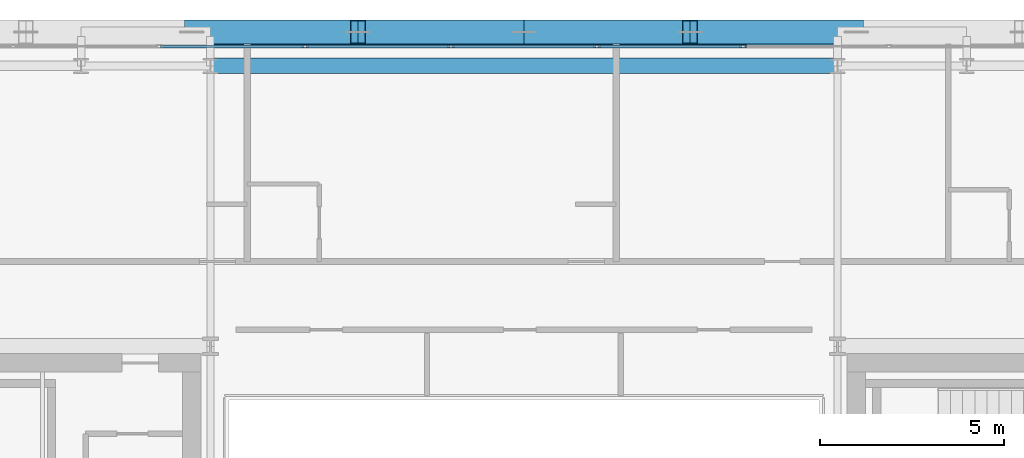
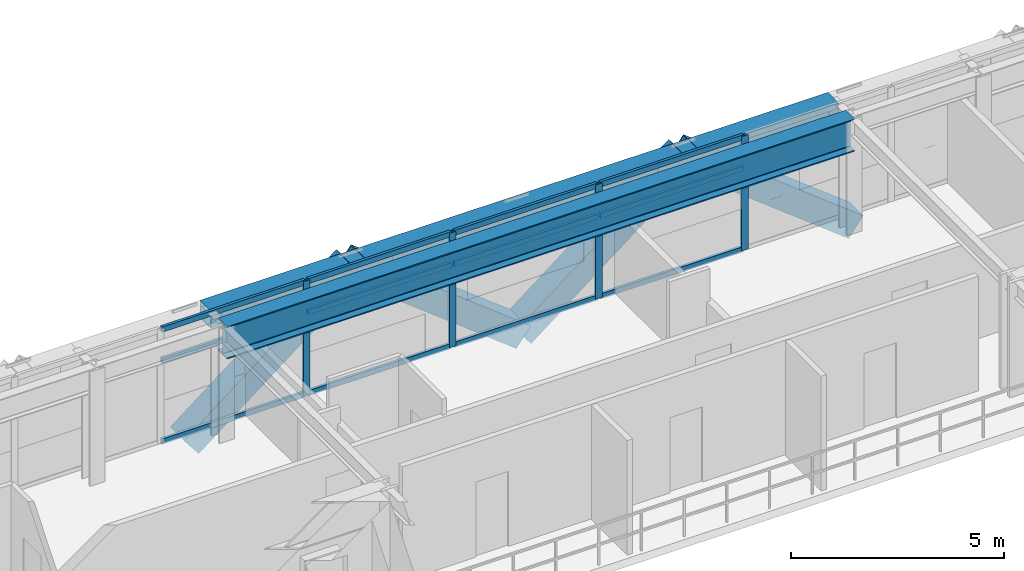
# One storey, part 17 of 32: 20 members, 2 beams, 1 element without a shape of its own.
"""IFC4 building model written with IfcOpenShell, lengths in metres."""

import ifcopenshell
import ifcopenshell.guid

model = None  # the IFC model being written
_history = None  # IfcOwnerHistory: only IFC2X3 demands one
_inside = {}  # id of a spatial element -> (the spatial element, [elements in it])
_under = {}  # id of a project, library or spatial element -> (it, [spatial elements below it])
_declared = {}  # id of a project -> (the project, [libraries it declares])
_typed = {}  # id of a type object -> (the type object, [elements of that type])
_made_of = {}  # id of a material, layer set ... -> (it, [elements and type objects made of it])


def new_model(schema):
    """Start an empty IFC model of exactly this schema.

    Asked for "IFC4X3", IfcOpenShell would pick the latest addendum, in which some entities
    have other attributes; the version numbers below select the first issue.
    IFC2X3 requires an IfcOwnerHistory on every rooted entity: one is made here for all.
    """
    global model, _history
    if schema == "IFC4X3":
        model = ifcopenshell.file(schema_version=(4, 3, 0, 0))
    else:
        model = ifcopenshell.file(schema=schema)
    _inside.clear()
    _under.clear()
    _declared.clear()
    _typed.clear()
    _made_of.clear()
    _history = None
    if model.schema == "IFC2X3":
        org = make("IfcOrganization", Name="unknown")
        user = make(
            "IfcPersonAndOrganization",
            ThePerson=make("IfcPerson", FamilyName="unknown"),
            TheOrganization=org,
        )
        app = make(
            "IfcApplication",
            ApplicationDeveloper=org,
            Version="unknown",
            ApplicationFullName="unknown",
            ApplicationIdentifier="unknown",
        )
        _history = make(
            "IfcOwnerHistory",
            OwningUser=user,
            OwningApplication=app,
            ChangeAction="ADDED",
            CreationDate=0,
        )
    return model


def make(cls, **values):
    """One entity of the class cls with the attributes given. An attribute that is None is left unset."""
    return model.create_entity(
        cls, **{name: value for name, value in values.items() if value is not None}
    )


def rooted(cls, **values):
    """An entity with a GlobalId (a new one), such as an element, a storey or a relation."""
    return make(cls, GlobalId=ifcopenshell.guid.new(), OwnerHistory=_history, **values)


def si_unit(unit_type, name, prefix=None):
    """IfcSIUnit, for example si_unit("LENGTHUNIT", "METRE", prefix="MILLI")."""
    return make("IfcSIUnit", UnitType=unit_type, Prefix=prefix, Name=name)


def assignment(units):
    """IfcUnitAssignment: the units of a project."""
    return None if units is None else make("IfcUnitAssignment", Units=units)


def point(xyz):
    """IfcCartesianPoint."""
    return None if xyz is None else make("IfcCartesianPoint", Coordinates=xyz)


def direction(xyz):
    """IfcDirection."""
    return None if xyz is None else make("IfcDirection", DirectionRatios=xyz)


def frame(location, z_axis=None, x_axis=None):
    """IfcAxis2Placement3D, a coordinate frame: its origin and axes. An axis left out is left unset."""
    return make(
        "IfcAxis2Placement3D",
        Location=point(location),
        Axis=direction(z_axis),
        RefDirection=direction(x_axis),
    )


def frame_2d(location, x_axis=None):
    """IfcAxis2Placement2D, a coordinate frame in the plane: its origin and x axis."""
    return make(
        "IfcAxis2Placement2D", Location=point(location), RefDirection=direction(x_axis)
    )


def origin():
    """The frame at (0, 0, 0) with its axes left unset."""
    return frame((0.0, 0.0, 0.0))


def origin_2d():
    """The frame at (0, 0) in the plane with its x axis left unset."""
    return frame_2d((0.0, 0.0))


def place(relative_to, where):
    """IfcLocalPlacement: puts the frame where relative to a parent placement (None: the world)."""
    return make(
        "IfcLocalPlacement", PlacementRelTo=relative_to, RelativePlacement=where
    )


def context(
    kind, dimensions, precision=None, world=None, true_north=None, identifier=None
):
    """IfcGeometricRepresentationContext, for example the 3D "Model" context."""
    return make(
        "IfcGeometricRepresentationContext",
        ContextIdentifier=identifier,
        ContextType=kind,
        CoordinateSpaceDimension=dimensions,
        Precision=precision,
        WorldCoordinateSystem=world,
        TrueNorth=true_north,
    )


def subcontext(parent, identifier, kind, view, scale=None):
    """IfcGeometricRepresentationSubContext, for example "Body" below "Model"."""
    return make(
        "IfcGeometricRepresentationSubContext",
        ContextIdentifier=identifier,
        ContextType=kind,
        ParentContext=parent,
        TargetScale=scale,
        TargetView=view,
    )


def project(units=None, contexts=None):
    """IfcProject with its units and contexts."""
    return rooted(
        "IfcProject",
        Name="project",
        RepresentationContexts=contexts,
        UnitsInContext=assignment(units),
    )


def spatial(cls, under=None, at=None, **own):
    """A site, building, storey or space (cls), placed at a placement, below another one or the project."""
    s = rooted(cls, ObjectPlacement=at, **own)
    if under is not None:
        _under.setdefault(under.id(), (under, []))[1].append(s)
    return s


def profile(cls, at=None, kind="AREA", **sizes):
    """A parametric profile (cls). Its sizes go by their IFC names, for example OverallWidth=200.0."""
    return make(cls, ProfileType=kind, Position=at, **sizes)


def hollow_rectangle(**sizes):
    """IfcRectangleHollowProfileDef."""
    return profile("IfcRectangleHollowProfileDef", **sizes)


def i_section(**sizes):
    """IfcIShapeProfileDef."""
    return profile("IfcIShapeProfileDef", **sizes)


def extrude(swept, where, along, depth):
    """IfcExtrudedAreaSolid: the profile swept, set in the frame where, extruded along a direction by depth."""
    return make(
        "IfcExtrudedAreaSolid",
        SweptArea=swept,
        Position=where,
        ExtrudedDirection=direction(along),
        Depth=depth,
    )


def shape(context_of_items, identifier, shape_type, items):
    """IfcShapeRepresentation: the items that make up one representation, for example the "Body"."""
    return make(
        "IfcShapeRepresentation",
        ContextOfItems=context_of_items,
        RepresentationIdentifier=identifier,
        RepresentationType=shape_type,
        Items=items,
    )


def source(mapping_origin, context_of_items, identifier, shape_type, items):
    """IfcRepresentationMap: a shape defined once, which mapped items show again and again."""
    return make(
        "IfcRepresentationMap",
        MappingOrigin=mapping_origin,
        MappedRepresentation=shape(context_of_items, identifier, shape_type, items),
    )


def transform(
    local_origin,
    x_axis=None,
    y_axis=None,
    z_axis=None,
    scale=None,
    scale2=None,
    scale3=None,
    uniform=True,
):
    """IfcCartesianTransformationOperator3D, or its non-uniform kind. x_axis, y_axis, z_axis: its Axis1, 2, 3."""
    if uniform:
        return make(
            "IfcCartesianTransformationOperator3D",
            Axis1=direction(x_axis),
            Axis2=direction(y_axis),
            LocalOrigin=point(local_origin),
            Scale=scale,
            Axis3=direction(z_axis),
        )
    return make(
        "IfcCartesianTransformationOperator3DnonUniform",
        Axis1=direction(x_axis),
        Axis2=direction(y_axis),
        LocalOrigin=point(local_origin),
        Scale=scale,
        Axis3=direction(z_axis),
        Scale2=scale2,
        Scale3=scale3,
    )


def mapped(mapping_source, mapping_target):
    """IfcMappedItem: shows the shape of a source again, moved by a transform."""
    return make(
        "IfcMappedItem", MappingSource=mapping_source, MappingTarget=mapping_target
    )


def material(Name=None, Category=None):
    """IfcMaterial."""
    return make("IfcMaterial", Name=Name, Category=Category)


def layer(
    of_material, thickness, ventilated=None, Name=None, Category=None, Priority=None
):
    """IfcMaterialLayer: one layer of a wall or slab, of a material (None: an air gap)."""
    return make(
        "IfcMaterialLayer",
        Material=of_material,
        LayerThickness=thickness,
        IsVentilated=ventilated,
        Name=Name,
        Category=Category,
        Priority=Priority,
    )


def layer_set(layers, Name=None):
    """IfcMaterialLayerSet."""
    return make("IfcMaterialLayerSet", MaterialLayers=layers, LayerSetName=Name)


def material_profile(
    of_material, cross_section, Name=None, Category=None, Priority=None
):
    """IfcMaterialProfile: a cross section and its material."""
    return make(
        "IfcMaterialProfile",
        Name=Name,
        Material=of_material,
        Profile=cross_section,
        Priority=Priority,
        Category=Category,
    )


def profile_set(profiles, Name=None, composite=None):
    """IfcMaterialProfileSet."""
    return make(
        "IfcMaterialProfileSet",
        Name=Name,
        MaterialProfiles=profiles,
        CompositeProfile=composite,
    )


def made_of(thing, what):
    """Note that an element or type object is made of a material, layer set ...; save() writes the relation."""
    if what is not None:
        _made_of.setdefault(what.id(), (what, []))[1].append(thing)
    return thing


def type_object(cls, material=None, **own):
    """A type object (cls), such as IfcWallType, which elements share."""
    return made_of(rooted(cls, **own), material)


def element(
    cls,
    number,
    at=None,
    inside=None,
    cuts=None,
    type_object=None,
    material=None,
    context=None,
    identifier="Body",
    shape_type=None,
    held_by="IfcProductDefinitionShape",
    body=None,
    shapes=None,
    **own,
):
    """One element of the class cls, such as IfcWall. Its Tag is "e" and its number.

    at: its placement. inside: the storey or other place that contains it. cuts: it is an
    opening in that element (IfcRelVoidsElement). A single representation is given by context,
    identifier, shape_type and body (its items); several are given by shapes. held_by: the class
    of the entity that holds the representations. save() writes the other relations.
    """
    e = rooted(cls, Tag="e%d" % number, ObjectPlacement=at, **own)
    if body is not None:
        shapes = [shape(context, identifier, shape_type, body)]
    if shapes is not None:
        e.Representation = make(held_by, Representations=shapes)
    if inside is not None:
        _inside.setdefault(inside.id(), (inside, []))[1].append(e)
    if cuts is not None:
        rooted(
            "IfcRelVoidsElement", RelatingBuildingElement=cuts, RelatedOpeningElement=e
        )
    if type_object is not None:
        _typed.setdefault(type_object.id(), (type_object, []))[1].append(e)
    return made_of(e, material)


def aggregate(whole, parts):
    """IfcRelAggregates: a whole, such as a stair, and the parts it consists of."""
    return rooted("IfcRelAggregates", RelatingObject=whole, RelatedObjects=parts)


def save(model, path):
    """Write the relations noted so far, then the file.

    IfcRelAggregates (storeys below a building ...), IfcRelContainedInSpatialStructure (elements
    in a storey), IfcRelDefinesByType, IfcRelAssociatesMaterial and IfcRelDeclares: one each for
    every whole, place, type object, material and project.
    """
    for whole, parts in _under.values():
        aggregate(whole, parts)
    for where, things in _inside.values():
        rooted(
            "IfcRelContainedInSpatialStructure",
            RelatedElements=things,
            RelatingStructure=where,
        )
    for kind, things in _typed.values():
        rooted("IfcRelDefinesByType", RelatedObjects=things, RelatingType=kind)
    for what, things in _made_of.values():
        rooted("IfcRelAssociatesMaterial", RelatedObjects=things, RelatingMaterial=what)
    for by, libraries in _declared.values():
        rooted("IfcRelDeclares", RelatingContext=by, RelatedDefinitions=libraries)
    model.write(path)


model = new_model("IFC4")

# Units and contexts
model_context = context("Model", 3, precision=1e-05, world=origin(), true_north=direction((0.0, 1.0)))
body_context = subcontext(model_context, "Body", "Model", "MODEL_VIEW")
ifc_project = project(units=[si_unit("LENGTHUNIT", "METRE"), si_unit("AREAUNIT", "SQUARE_METRE"), si_unit("VOLUMEUNIT", "CUBIC_METRE"), si_unit("PLANEANGLEUNIT", "RADIAN"), si_unit("MASSUNIT", "GRAM", prefix="KILO")], contexts=[model_context])

# Site, building, storey
site_placement = place(None, origin())
site = spatial("IfcSite", under=ifc_project, at=site_placement, CompositionType="ELEMENT")
building_placement = place(site_placement, origin())
building = spatial("IfcBuilding", under=site, at=building_placement, Name="Ocotamira Hotel", CompositionType="ELEMENT")
storey_placement = place(building_placement, frame((0.0, 0.0, 217.199951171875)))
storey = spatial("IfcBuildingStorey", under=building, at=storey_placement, Name="L55", CompositionType="ELEMENT", Elevation=217.199951171875)

# Beams
ifc_material_1 = material(Name="Steel ASTM A992 Grade 50", Category="steel")
ifc_material_profile_1 = material_profile(ifc_material_1, i_section(OverallWidth=0.41796875, OverallDepth=0.927001953125, WebThickness=0.019287109375, FlangeThickness=0.031982421875, FilletRadius=0.02392578125, at=origin_2d()), Name="W36X231")
ifc_profile_set_1 = profile_set([ifc_material_profile_1], Name="Steel ASTM A992 Grade 50")
beam_type_1 = type_object("IfcBeamType", Name="BM-GIRD-W36X231", PredefinedType="BEAM", material=ifc_profile_set_1)
shared_shape_1 = source(origin(), body_context, "Body", "SweptSolid", [
    extrude(i_section(OverallWidth=0.41796875, OverallDepth=0.927001953125, WebThickness=0.019287109375, FlangeThickness=0.031982421875, FilletRadius=0.02392578125, at=origin_2d()), origin(), (0.0, 0.0, 1.0), 17.0),
])
beam_1_placement = place(storey_placement, frame((23.5, 45.050048828125, 2.816650390625), z_axis=(1.0, 0.0, 0.0), x_axis=(0.0, 1.0, 0.0)))
element("IfcBeam", 1, at=beam_1_placement, inside=storey, type_object=beam_type_1, Name="L55 Girder Y45.05 X23.5-40.5", PredefinedType="BEAM", context=body_context, shape_type="MappedRepresentation", body=[
    mapped(shared_shape_1, transform((0.0, 0.0, 0.0), scale=1.0)),
])
ifc_material_2 = material(Name="Steel ASTM A500 Grade C", Category="steel")
ifc_material_profile_2 = material_profile(ifc_material_2, hollow_rectangle(XDim=0.5, YDim=0.5, WallThickness=0.02001953125, at=origin_2d()), Name="HSS500X500X20")
ifc_profile_set_2 = profile_set([ifc_material_profile_2], Name="Steel ASTM A500 Grade C")
beam_type_2 = type_object("IfcBeamType", Name="BM-SPAN-HSS500", PredefinedType="USERDEFINED", material=ifc_profile_set_2)
shared_shape_2 = source(origin(), body_context, "Body", "SweptSolid", [
    extrude(hollow_rectangle(XDim=0.5, YDim=0.5, WallThickness=0.02001953125, at=origin_2d()), origin(), (0.0, 0.0, 1.0), 17.0),
])
beam_2_placement = place(storey_placement, frame((23.5, 45.85009765625, 3.030029296875), z_axis=(1.0, 0.0, 0.0), x_axis=(0.0, 1.0, 0.0)))
element("IfcBeam", 2, at=beam_2_placement, inside=storey, type_object=beam_type_2, Name="L55 Edge Spandrel N X23.5-40.5", ObjectType="SPANDREL", PredefinedType="USERDEFINED", context=body_context, shape_type="MappedRepresentation", body=[
    mapped(shared_shape_2, transform((0.0, 0.0, 0.0), scale=1.0)),
])

# Members
ifc_material_3 = material(Name="Pale-metal coated steel ASTM A913 Grade 65", Category="steel")
ifc_material_profile_3 = material_profile(ifc_material_3, hollow_rectangle(XDim=0.64990234375, YDim=0.64990234375, WallThickness=0.02197265625, at=origin_2d()), Name="BOX650X650X22")
ifc_profile_set_3 = profile_set([ifc_material_profile_3], Name="Pale-metal coated steel ASTM A913 Grade 65")
member_type_1 = type_object("IfcMemberType", Name="MEM-EXO-BOX650", PredefinedType="BRACE", material=ifc_profile_set_3)
shared_shape_3 = source(origin(), body_context, "Body", "SweptSolid", [
    extrude(hollow_rectangle(XDim=0.64990234375, YDim=0.64990234375, WallThickness=0.02197265625, at=origin_2d()), origin(), (0.0, 0.0, 1.0), 5.70703125),
])
for number, where, z_axis, x_axis, name in (
    (3, (23.0, 45.969970703125, -0.47998046875), (0.788501476184, 0.0, 0.615032862581), (0.0, 1.0, 0.0), "L55 Exoskeleton Diagrid N1.1"),
    (4, (32.0, 45.969970703125, -0.47998046875), (-0.788501476184, 0.0, 0.615032862581), (0.0, -1.0, 0.0), "L55 Exoskeleton Diagrid N1.2"),
    (5, (32.0, 45.969970703125, -0.47998046875), (0.788501476184, 0.0, 0.615032862581), (0.0, 1.0, 0.0), "L55 Exoskeleton Diagrid N2.1"),
    (6, (41.0, 45.969970703125, -0.47998046875), (-0.788501476184, 0.0, 0.615032862581), (0.0, -1.0, 0.0), "L55 Exoskeleton Diagrid N2.2"),
):
    element("IfcMember", number, at=place(storey_placement, frame(where, z_axis=z_axis, x_axis=x_axis)), inside=storey, type_object=member_type_1, Name=name, PredefinedType="BRACE", context=body_context, shape_type="MappedRepresentation", body=[
        mapped(shared_shape_3, transform((0.0, 0.0, 0.0), scale=1.0)),
    ])

# Curtain wall, members
ifc_material_4 = material(Name="Anodised pale-metal aluminium and solar glass", Category="aluminium")
ifc_layer = layer(ifc_material_4, 0.199951171875)
ifc_layer_set = layer_set([ifc_layer], Name="Anodised pale-metal aluminium and solar glass")
curtain_wall_type = type_object("IfcCurtainWallType", Name="CW-SYS4-Z3", PredefinedType="NOTDEFINED", material=ifc_layer_set)
curtain_wall_placement = place(storey_placement, origin())
curtain_wall = element("IfcCurtainWall", 7, at=curtain_wall_placement, inside=storey, type_object=curtain_wall_type, Name="L55 Curtain Wall CW-4 CW-L55-N", PredefinedType="NOTDEFINED")
ifc_material_5 = material(Name="Anodised pale-metal aluminium 6063-T6", Category="aluminium")
ifc_material_profile_4 = material_profile(ifc_material_5, hollow_rectangle(XDim=0.074951171875, YDim=0.14990234375, WallThickness=0.006103515625, at=origin_2d()), Name="HSS150X75X6")
ifc_profile_set_4 = profile_set([ifc_material_profile_4], Name="Anodised pale-metal aluminium 6063-T6")
member_type_2 = type_object("IfcMemberType", Name="CWT-150X75", PredefinedType="USERDEFINED", material=ifc_profile_set_4)
shared_shape_4 = source(origin(), body_context, "Body", "SweptSolid", [
    extrude(hollow_rectangle(XDim=0.074951171875, YDim=0.14990234375, WallThickness=0.006103515625, at=origin_2d()), origin(), (0.0, 0.0, 1.0), 3.87548828125),
])
member_1_placement = place(storey_placement, frame((22.151123046875, 45.580078125, 0.03759765625), z_axis=(1.0, 0.0, 0.0), x_axis=(0.0, 1.0, 0.0)))
member_1 = element("IfcMember", 8, at=member_1_placement, type_object=member_type_2, Name="CW-4 transom 3.1", ObjectType="TRANSOM", PredefinedType="USERDEFINED", context=body_context, shape_type="MappedRepresentation", body=[
    mapped(shared_shape_4, transform((0.0, 0.0, 0.0), scale=1.0)),
])
member_2_placement = place(storey_placement, frame((22.151123046875, 45.580078125, 2.35009765625), z_axis=(1.0, 0.0, 0.0), x_axis=(0.0, 1.0, 0.0)))
member_2 = element("IfcMember", 9, at=member_2_placement, type_object=member_type_2, Name="CW-4 transom 3.2", ObjectType="TRANSOM", PredefinedType="USERDEFINED", context=body_context, shape_type="MappedRepresentation", body=[
    mapped(shared_shape_4, transform((0.0, 0.0, 0.0), scale=1.0)),
])
member_3_placement = place(storey_placement, frame((22.151123046875, 45.580078125, 3.242431640625), z_axis=(1.0, 0.0, 0.0), x_axis=(0.0, 1.0, 0.0)))
member_3 = element("IfcMember", 10, at=member_3_placement, type_object=member_type_2, Name="CW-4 transom 3.3", ObjectType="TRANSOM", PredefinedType="USERDEFINED", context=body_context, shape_type="MappedRepresentation", body=[
    mapped(shared_shape_4, transform((0.0, 0.0, 0.0), scale=1.0)),
])
member_4_placement = place(storey_placement, frame((26.106689453125, 45.580078125, 0.03759765625), z_axis=(1.0, 0.0, 0.0), x_axis=(0.0, 1.0, 0.0)))
member_4 = element("IfcMember", 11, at=member_4_placement, type_object=member_type_2, Name="CW-4 transom 4.1", ObjectType="TRANSOM", PredefinedType="USERDEFINED", context=body_context, shape_type="MappedRepresentation", body=[
    mapped(shared_shape_4, transform((0.0, 0.0, 0.0), scale=1.0)),
])
member_5_placement = place(storey_placement, frame((26.106689453125, 45.580078125, 2.35009765625), z_axis=(1.0, 0.0, 0.0), x_axis=(0.0, 1.0, 0.0)))
member_5 = element("IfcMember", 12, at=member_5_placement, type_object=member_type_2, Name="CW-4 transom 4.2", ObjectType="TRANSOM", PredefinedType="USERDEFINED", context=body_context, shape_type="MappedRepresentation", body=[
    mapped(shared_shape_4, transform((0.0, 0.0, 0.0), scale=1.0)),
])
member_6_placement = place(storey_placement, frame((26.106689453125, 45.580078125, 3.242431640625), z_axis=(1.0, 0.0, 0.0), x_axis=(0.0, 1.0, 0.0)))
member_6 = element("IfcMember", 13, at=member_6_placement, type_object=member_type_2, Name="CW-4 transom 4.3", ObjectType="TRANSOM", PredefinedType="USERDEFINED", context=body_context, shape_type="MappedRepresentation", body=[
    mapped(shared_shape_4, transform((0.0, 0.0, 0.0), scale=1.0)),
])
member_7_placement = place(storey_placement, frame((30.062255859375, 45.580078125, 0.03759765625), z_axis=(1.0, 0.0, 0.0), x_axis=(0.0, 1.0, 0.0)))
member_7 = element("IfcMember", 14, at=member_7_placement, type_object=member_type_2, Name="CW-4 transom 5.1", ObjectType="TRANSOM", PredefinedType="USERDEFINED", context=body_context, shape_type="MappedRepresentation", body=[
    mapped(shared_shape_4, transform((0.0, 0.0, 0.0), scale=1.0)),
])
member_8_placement = place(storey_placement, frame((30.062255859375, 45.580078125, 2.35009765625), z_axis=(1.0, 0.0, 0.0), x_axis=(0.0, 1.0, 0.0)))
member_8 = element("IfcMember", 15, at=member_8_placement, type_object=member_type_2, Name="CW-4 transom 5.2", ObjectType="TRANSOM", PredefinedType="USERDEFINED", context=body_context, shape_type="MappedRepresentation", body=[
    mapped(shared_shape_4, transform((0.0, 0.0, 0.0), scale=1.0)),
])
member_9_placement = place(storey_placement, frame((30.062255859375, 45.580078125, 3.242431640625), z_axis=(1.0, 0.0, 0.0), x_axis=(0.0, 1.0, 0.0)))
member_9 = element("IfcMember", 16, at=member_9_placement, type_object=member_type_2, Name="CW-4 transom 5.3", ObjectType="TRANSOM", PredefinedType="USERDEFINED", context=body_context, shape_type="MappedRepresentation", body=[
    mapped(shared_shape_4, transform((0.0, 0.0, 0.0), scale=1.0)),
])
member_10_placement = place(storey_placement, frame((34.017822265625, 45.580078125, 0.03759765625), z_axis=(1.0, 0.0, 0.0), x_axis=(0.0, 1.0, 0.0)))
member_10 = element("IfcMember", 17, at=member_10_placement, type_object=member_type_2, Name="CW-4 transom 6.1", ObjectType="TRANSOM", PredefinedType="USERDEFINED", context=body_context, shape_type="MappedRepresentation", body=[
    mapped(shared_shape_4, transform((0.0, 0.0, 0.0), scale=1.0)),
])
member_11_placement = place(storey_placement, frame((34.017822265625, 45.580078125, 2.35009765625), z_axis=(1.0, 0.0, 0.0), x_axis=(0.0, 1.0, 0.0)))
member_11 = element("IfcMember", 18, at=member_11_placement, type_object=member_type_2, Name="CW-4 transom 6.2", ObjectType="TRANSOM", PredefinedType="USERDEFINED", context=body_context, shape_type="MappedRepresentation", body=[
    mapped(shared_shape_4, transform((0.0, 0.0, 0.0), scale=1.0)),
])
member_12_placement = place(storey_placement, frame((34.017822265625, 45.580078125, 3.242431640625), z_axis=(1.0, 0.0, 0.0), x_axis=(0.0, 1.0, 0.0)))
member_12 = element("IfcMember", 19, at=member_12_placement, type_object=member_type_2, Name="CW-4 transom 6.3", ObjectType="TRANSOM", PredefinedType="USERDEFINED", context=body_context, shape_type="MappedRepresentation", body=[
    mapped(shared_shape_4, transform((0.0, 0.0, 0.0), scale=1.0)),
])
ifc_material_profile_5 = material_profile(ifc_material_5, hollow_rectangle(XDim=0.080078125, YDim=0.179931640625, WallThickness=0.006103515625, at=origin_2d()), Name="HSS180X80X6")
ifc_profile_set_5 = profile_set([ifc_material_profile_5], Name="Anodised pale-metal aluminium 6063-T6")
member_type_3 = type_object("IfcMemberType", Name="CWM-180X75", PredefinedType="MULLION", material=ifc_profile_set_5)
shared_shape_5 = source(origin(), body_context, "Body", "SweptSolid", [
    extrude(hollow_rectangle(XDim=0.080078125, YDim=0.179931640625, WallThickness=0.006103515625, at=origin_2d()), origin(), (0.0, 0.0, 1.0), 3.280029296875),
])
member_13_placement = place(storey_placement, frame((26.066650390625, 45.580078125, 0.0), z_axis=(0.0, 0.0, 1.0), x_axis=(0.0, 1.0, 0.0)))
member_13 = element("IfcMember", 20, at=member_13_placement, type_object=member_type_3, Name="CW-4 mullion 4", PredefinedType="MULLION", context=body_context, shape_type="MappedRepresentation", body=[
    mapped(shared_shape_5, transform((0.0, 0.0, 0.0), scale=1.0)),
])
member_14_placement = place(storey_placement, frame((30.022216796875, 45.580078125, 0.0), z_axis=(0.0, 0.0, 1.0), x_axis=(0.0, 1.0, 0.0)))
member_14 = element("IfcMember", 21, at=member_14_placement, type_object=member_type_3, Name="CW-4 mullion 5", PredefinedType="MULLION", context=body_context, shape_type="MappedRepresentation", body=[
    mapped(shared_shape_5, transform((0.0, 0.0, 0.0), scale=1.0)),
])
member_15_placement = place(storey_placement, frame((33.977783203125, 45.580078125, 0.0), z_axis=(0.0, 0.0, 1.0), x_axis=(0.0, 1.0, 0.0)))
member_15 = element("IfcMember", 22, at=member_15_placement, type_object=member_type_3, Name="CW-4 mullion 6", PredefinedType="MULLION", context=body_context, shape_type="MappedRepresentation", body=[
    mapped(shared_shape_5, transform((0.0, 0.0, 0.0), scale=1.0)),
])
member_16_placement = place(storey_placement, frame((37.933349609375, 45.580078125, 0.0), z_axis=(0.0, 0.0, 1.0), x_axis=(0.0, 1.0, 0.0)))
member_16 = element("IfcMember", 23, at=member_16_placement, type_object=member_type_3, Name="CW-4 mullion 7", PredefinedType="MULLION", context=body_context, shape_type="MappedRepresentation", body=[
    mapped(shared_shape_5, transform((0.0, 0.0, 0.0), scale=1.0)),
])
aggregate(curtain_wall, [member_13, member_14, member_15, member_16, member_1, member_2, member_3, member_4, member_5, member_6, member_7, member_8, member_9, member_10, member_11, member_12])

save(model, "model.ifc")
